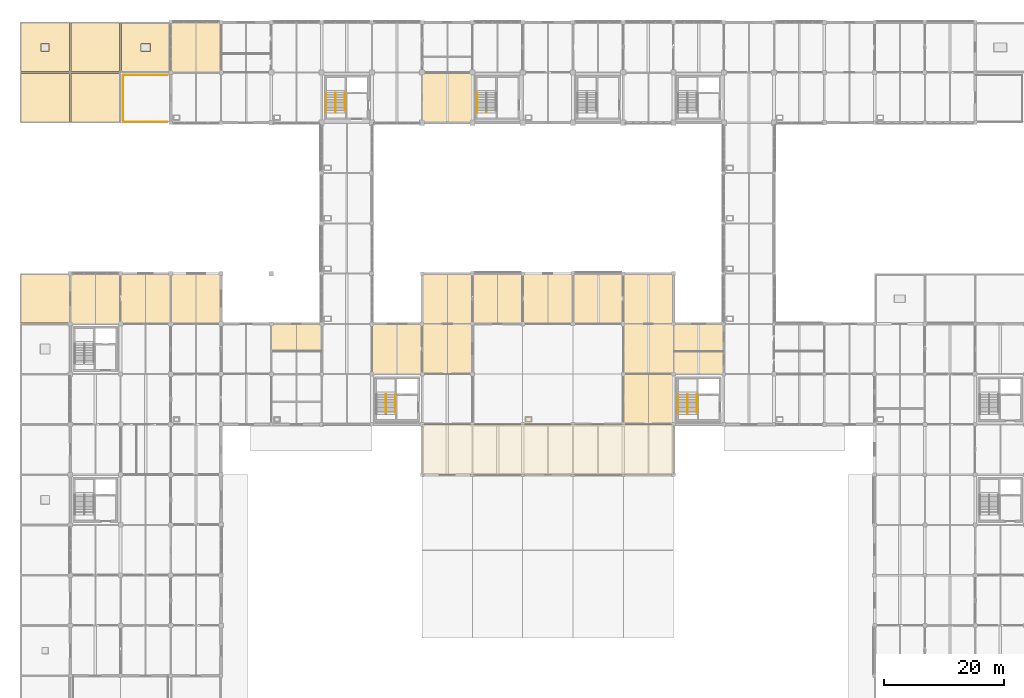
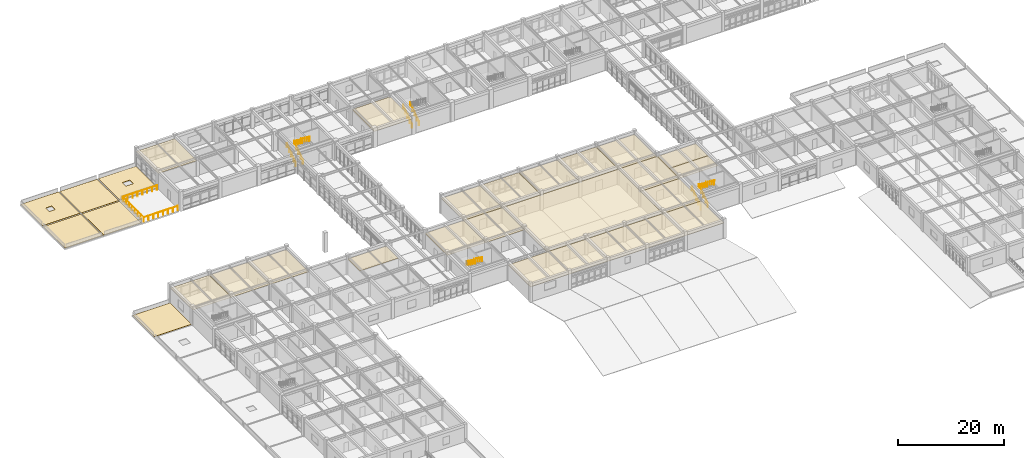
# One storey, part 76 of 78: 25 coverings, 15 railings.
"""IFC4 building model written with IfcOpenShell, lengths in metres."""

import ifcopenshell
import ifcopenshell.guid

model = None  # the IFC model being written
_history = None  # IfcOwnerHistory: only IFC2X3 demands one
_inside = {}  # id of a spatial element -> (the spatial element, [elements in it])
_under = {}  # id of a project, library or spatial element -> (it, [spatial elements below it])
_declared = {}  # id of a project -> (the project, [libraries it declares])
_typed = {}  # id of a type object -> (the type object, [elements of that type])
_made_of = {}  # id of a material, layer set ... -> (it, [elements and type objects made of it])


def new_model(schema):
    """Start an empty IFC model of exactly this schema.

    Asked for "IFC4X3", IfcOpenShell would pick the latest addendum, in which some entities
    have other attributes; the version numbers below select the first issue.
    IFC2X3 requires an IfcOwnerHistory on every rooted entity: one is made here for all.
    """
    global model, _history
    if schema == "IFC4X3":
        model = ifcopenshell.file(schema_version=(4, 3, 0, 0))
    else:
        model = ifcopenshell.file(schema=schema)
    _inside.clear()
    _under.clear()
    _declared.clear()
    _typed.clear()
    _made_of.clear()
    _history = None
    if model.schema == "IFC2X3":
        org = make("IfcOrganization", Name="unknown")
        user = make(
            "IfcPersonAndOrganization",
            ThePerson=make("IfcPerson", FamilyName="unknown"),
            TheOrganization=org,
        )
        app = make(
            "IfcApplication",
            ApplicationDeveloper=org,
            Version="unknown",
            ApplicationFullName="unknown",
            ApplicationIdentifier="unknown",
        )
        _history = make(
            "IfcOwnerHistory",
            OwningUser=user,
            OwningApplication=app,
            ChangeAction="ADDED",
            CreationDate=0,
        )
    return model


def make(cls, **values):
    """One entity of the class cls with the attributes given. An attribute that is None is left unset."""
    return model.create_entity(
        cls, **{name: value for name, value in values.items() if value is not None}
    )


def rooted(cls, **values):
    """An entity with a GlobalId (a new one), such as an element, a storey or a relation."""
    return make(cls, GlobalId=ifcopenshell.guid.new(), OwnerHistory=_history, **values)


def si_unit(unit_type, name, prefix=None):
    """IfcSIUnit, for example si_unit("LENGTHUNIT", "METRE", prefix="MILLI")."""
    return make("IfcSIUnit", UnitType=unit_type, Prefix=prefix, Name=name)


def assignment(units):
    """IfcUnitAssignment: the units of a project."""
    return None if units is None else make("IfcUnitAssignment", Units=units)


def point(xyz):
    """IfcCartesianPoint."""
    return None if xyz is None else make("IfcCartesianPoint", Coordinates=xyz)


def direction(xyz):
    """IfcDirection."""
    return None if xyz is None else make("IfcDirection", DirectionRatios=xyz)


def frame(location, z_axis=None, x_axis=None):
    """IfcAxis2Placement3D, a coordinate frame: its origin and axes. An axis left out is left unset."""
    return make(
        "IfcAxis2Placement3D",
        Location=point(location),
        Axis=direction(z_axis),
        RefDirection=direction(x_axis),
    )


def frame_2d(location, x_axis=None):
    """IfcAxis2Placement2D, a coordinate frame in the plane: its origin and x axis."""
    return make(
        "IfcAxis2Placement2D", Location=point(location), RefDirection=direction(x_axis)
    )


def origin():
    """The frame at (0, 0, 0) with its axes left unset."""
    return frame((0.0, 0.0, 0.0))


def origin_2d():
    """The frame at (0, 0) in the plane with its x axis left unset."""
    return frame_2d((0.0, 0.0))


def place(relative_to, where):
    """IfcLocalPlacement: puts the frame where relative to a parent placement (None: the world)."""
    return make(
        "IfcLocalPlacement", PlacementRelTo=relative_to, RelativePlacement=where
    )


def context(
    kind, dimensions, precision=None, world=None, true_north=None, identifier=None
):
    """IfcGeometricRepresentationContext, for example the 3D "Model" context."""
    return make(
        "IfcGeometricRepresentationContext",
        ContextIdentifier=identifier,
        ContextType=kind,
        CoordinateSpaceDimension=dimensions,
        Precision=precision,
        WorldCoordinateSystem=world,
        TrueNorth=true_north,
    )


def subcontext(parent, identifier, kind, view, scale=None):
    """IfcGeometricRepresentationSubContext, for example "Body" below "Model"."""
    return make(
        "IfcGeometricRepresentationSubContext",
        ContextIdentifier=identifier,
        ContextType=kind,
        ParentContext=parent,
        TargetScale=scale,
        TargetView=view,
    )


def project(units=None, contexts=None):
    """IfcProject with its units and contexts."""
    return rooted(
        "IfcProject",
        Name="project",
        RepresentationContexts=contexts,
        UnitsInContext=assignment(units),
    )


def spatial(cls, under=None, at=None, **own):
    """A site, building, storey or space (cls), placed at a placement, below another one or the project."""
    s = rooted(cls, ObjectPlacement=at, **own)
    if under is not None:
        _under.setdefault(under.id(), (under, []))[1].append(s)
    return s


def polyline(points):
    """IfcPolyline through the points."""
    return make("IfcPolyline", Points=[point(p) for p in points])


def profile(cls, at=None, kind="AREA", **sizes):
    """A parametric profile (cls). Its sizes go by their IFC names, for example OverallWidth=200.0."""
    return make(cls, ProfileType=kind, Position=at, **sizes)


def circle(**sizes):
    """IfcCircleProfileDef."""
    return profile("IfcCircleProfileDef", **sizes)


def outline(outer, holes=None, kind="AREA"):
    """IfcArbitraryClosedProfileDef: a profile drawn as a closed curve; with holes, ...WithVoids."""
    if holes is None:
        return make("IfcArbitraryClosedProfileDef", ProfileType=kind, OuterCurve=outer)
    return make(
        "IfcArbitraryProfileDefWithVoids",
        ProfileType=kind,
        OuterCurve=outer,
        InnerCurves=holes,
    )


def extrude(swept, where, along, depth):
    """IfcExtrudedAreaSolid: the profile swept, set in the frame where, extruded along a direction by depth."""
    return make(
        "IfcExtrudedAreaSolid",
        SweptArea=swept,
        Position=where,
        ExtrudedDirection=direction(along),
        Depth=depth,
    )


def shape(context_of_items, identifier, shape_type, items):
    """IfcShapeRepresentation: the items that make up one representation, for example the "Body"."""
    return make(
        "IfcShapeRepresentation",
        ContextOfItems=context_of_items,
        RepresentationIdentifier=identifier,
        RepresentationType=shape_type,
        Items=items,
    )


def material(Name=None, Category=None):
    """IfcMaterial."""
    return make("IfcMaterial", Name=Name, Category=Category)


def layer(
    of_material, thickness, ventilated=None, Name=None, Category=None, Priority=None
):
    """IfcMaterialLayer: one layer of a wall or slab, of a material (None: an air gap)."""
    return make(
        "IfcMaterialLayer",
        Material=of_material,
        LayerThickness=thickness,
        IsVentilated=ventilated,
        Name=Name,
        Category=Category,
        Priority=Priority,
    )


def layer_set(layers, Name=None):
    """IfcMaterialLayerSet."""
    return make("IfcMaterialLayerSet", MaterialLayers=layers, LayerSetName=Name)


def made_of(thing, what):
    """Note that an element or type object is made of a material, layer set ...; save() writes the relation."""
    if what is not None:
        _made_of.setdefault(what.id(), (what, []))[1].append(thing)
    return thing


def type_object(cls, material=None, **own):
    """A type object (cls), such as IfcWallType, which elements share."""
    return made_of(rooted(cls, **own), material)


def element(
    cls,
    number,
    at=None,
    inside=None,
    cuts=None,
    type_object=None,
    material=None,
    context=None,
    identifier="Body",
    shape_type=None,
    held_by="IfcProductDefinitionShape",
    body=None,
    shapes=None,
    **own,
):
    """One element of the class cls, such as IfcWall. Its Tag is "e" and its number.

    at: its placement. inside: the storey or other place that contains it. cuts: it is an
    opening in that element (IfcRelVoidsElement). A single representation is given by context,
    identifier, shape_type and body (its items); several are given by shapes. held_by: the class
    of the entity that holds the representations. save() writes the other relations.
    """
    e = rooted(cls, Tag="e%d" % number, ObjectPlacement=at, **own)
    if body is not None:
        shapes = [shape(context, identifier, shape_type, body)]
    if shapes is not None:
        e.Representation = make(held_by, Representations=shapes)
    if inside is not None:
        _inside.setdefault(inside.id(), (inside, []))[1].append(e)
    if cuts is not None:
        rooted(
            "IfcRelVoidsElement", RelatingBuildingElement=cuts, RelatedOpeningElement=e
        )
    if type_object is not None:
        _typed.setdefault(type_object.id(), (type_object, []))[1].append(e)
    return made_of(e, material)


def aggregate(whole, parts):
    """IfcRelAggregates: a whole, such as a stair, and the parts it consists of."""
    return rooted("IfcRelAggregates", RelatingObject=whole, RelatedObjects=parts)


def save(model, path):
    """Write the relations noted so far, then the file.

    IfcRelAggregates (storeys below a building ...), IfcRelContainedInSpatialStructure (elements
    in a storey), IfcRelDefinesByType, IfcRelAssociatesMaterial and IfcRelDeclares: one each for
    every whole, place, type object, material and project.
    """
    for whole, parts in _under.values():
        aggregate(whole, parts)
    for where, things in _inside.values():
        rooted(
            "IfcRelContainedInSpatialStructure",
            RelatedElements=things,
            RelatingStructure=where,
        )
    for kind, things in _typed.values():
        rooted("IfcRelDefinesByType", RelatedObjects=things, RelatingType=kind)
    for what, things in _made_of.values():
        rooted("IfcRelAssociatesMaterial", RelatedObjects=things, RelatingMaterial=what)
    for by, libraries in _declared.values():
        rooted("IfcRelDeclares", RelatingContext=by, RelatedDefinitions=libraries)
    model.write(path)


model = new_model("IFC4")

# Units and contexts
model_context = context("Model", 3, precision=1e-05, world=origin(), true_north=direction((0.0, 1.0)))
body_context = subcontext(model_context, "Body", "Model", "MODEL_VIEW")
ifc_project = project(units=[si_unit("LENGTHUNIT", "METRE"), si_unit("AREAUNIT", "SQUARE_METRE"), si_unit("VOLUMEUNIT", "CUBIC_METRE"), si_unit("PLANEANGLEUNIT", "RADIAN"), si_unit("MASSUNIT", "GRAM", prefix="KILO")], contexts=[model_context])

# Site, building, storey
site_placement = place(None, origin())
site = spatial("IfcSite", under=ifc_project, at=site_placement, CompositionType="ELEMENT")
building_placement = place(site_placement, origin())
building = spatial("IfcBuilding", under=site, at=building_placement, Name="Porcellanite Civic Hall", CompositionType="ELEMENT")
storey_placement = place(building_placement, frame((0.0, 0.0, 10.260009765625)))
storey = spatial("IfcBuildingStorey", under=building, at=storey_placement, Name="L02", CompositionType="ELEMENT", Elevation=10.260009765625)

# Coverings
ifc_material_1 = material(Name="Perforated acoustic mineral-fibre and spotted-gum batten ceiling")
ifc_layer_1 = layer(ifc_material_1, 0.02490234375)
ifc_layer_set_1 = layer_set([ifc_layer_1], Name="Perforated acoustic mineral-fibre and spotted-gum batten ceiling")
covering_type_1 = type_object("IfcCoveringType", Name="COV-CL1", PredefinedType="CEILING", material=ifc_layer_set_1)
covering_1_placement = place(storey_placement, frame((0.0, 0.0, 3.344970703125)))
element("IfcCovering", 1, at=covering_1_placement, inside=storey, type_object=covering_type_1, Name="Acoustic ceiling Council Chamber", PredefinedType="CEILING", context=body_context, shape_type="SweptSolid", body=[
    extrude(outline(polyline([(75.610107421875, 50.409912109375), (100.7900390625, 50.409912109375), (100.7900390625, 67.18994140625), (75.610107421875, 67.18994140625), (75.610107421875, 50.409912109375)])), origin(), (0.0, 0.0, 1.0), 0.02490234375),
])
ifc_material_2 = material(Name="Perforated acoustic mineral-fibre and spotted-gum batten ceiling")
ifc_layer_2 = layer(ifc_material_2, 0.034912109375)
ifc_layer_set_2 = layer_set([ifc_layer_2], Name="Perforated acoustic mineral-fibre and spotted-gum batten ceiling")
covering_type_2 = type_object("IfcCoveringType", Name="COV-CL2", PredefinedType="CEILING", material=ifc_layer_set_2)
covering_2_placement = place(storey_placement, frame((0.0, 0.0, 3.3349609375)))
element("IfcCovering", 2, at=covering_2_placement, inside=storey, type_object=covering_type_2, Name="Acoustic ceiling Electoral Commission Office L02-B", PredefinedType="CEILING", context=body_context, shape_type="SweptSolid", body=[
    extrude(outline(polyline([(42.010009765625, 62.610107421875), (50.389892578125, 62.610107421875), (50.389892578125, 67.18994140625), (42.010009765625, 67.18994140625), (42.010009765625, 62.610107421875)])), origin(), (0.0, 0.0, 1.0), 0.034912109375),
])
covering_3_placement = place(storey_placement, frame((0.0, 0.0, 3.3349609375)))
element("IfcCovering", 3, at=covering_3_placement, inside=storey, type_object=covering_type_2, Name="Acoustic ceiling Speaker Chambers L02-A", PredefinedType="CEILING", context=body_context, shape_type="SweptSolid", body=[
    extrude(outline(polyline([(109.2099609375, 58.81005859375), (117.590087890625, 58.81005859375), (117.590087890625, 62.590087890625), (109.2099609375, 62.590087890625), (109.2099609375, 58.81005859375)])), origin(), (0.0, 0.0, 1.0), 0.034912109375),
])
covering_4_placement = place(storey_placement, frame((0.0, 0.0, 3.3349609375)))
element("IfcCovering", 4, at=covering_4_placement, inside=storey, type_object=covering_type_2, Name="Acoustic ceiling Hansard Transcription Suite L02-B", PredefinedType="CEILING", context=body_context, shape_type="SweptSolid", body=[
    extrude(outline(polyline([(109.2099609375, 62.610107421875), (117.590087890625, 62.610107421875), (117.590087890625, 67.18994140625), (109.2099609375, 67.18994140625), (109.2099609375, 62.610107421875)])), origin(), (0.0, 0.0, 1.0), 0.034912109375),
])
covering_5_placement = place(storey_placement, frame((0.0, 0.0, 3.3349609375)))
element("IfcCovering", 5, at=covering_5_placement, inside=storey, type_object=covering_type_2, Name="Acoustic ceiling Standing Committee Suite L02-06", PredefinedType="CEILING", context=body_context, shape_type="SweptSolid", body=[
    extrude(outline(polyline([(8.409912109375, 67.2099609375), (16.7900390625, 67.2099609375), (16.7900390625, 75.590087890625), (8.409912109375, 75.590087890625), (8.409912109375, 67.2099609375)])), origin(), (0.0, 0.0, 1.0), 0.034912109375),
])
covering_6_placement = place(storey_placement, frame((0.0, 0.0, 3.3349609375)))
element("IfcCovering", 6, at=covering_6_placement, inside=storey, type_object=covering_type_2, Name="Acoustic ceiling Hansard Witness Room L02-13", PredefinedType="CEILING", context=body_context, shape_type="SweptSolid", body=[
    extrude(outline(polyline([(16.81005859375, 67.2099609375), (25.18994140625, 67.2099609375), (25.18994140625, 75.590087890625), (16.81005859375, 75.590087890625), (16.81005859375, 67.2099609375)])), origin(), (0.0, 0.0, 1.0), 0.034912109375),
])
covering_7_placement = place(storey_placement, frame((0.0, 0.0, 3.3349609375)))
element("IfcCovering", 7, at=covering_7_placement, inside=storey, type_object=covering_type_2, Name="Acoustic ceiling Committee Room L02-21", PredefinedType="CEILING", context=body_context, shape_type="SweptSolid", body=[
    extrude(outline(polyline([(25.2099609375, 67.2099609375), (33.590087890625, 67.2099609375), (33.590087890625, 75.590087890625), (25.2099609375, 75.590087890625), (25.2099609375, 67.2099609375)])), origin(), (0.0, 0.0, 1.0), 0.034912109375),
])
covering_8_placement = place(storey_placement, frame((0.0, 0.0, 3.3349609375)))
element("IfcCovering", 8, at=covering_8_placement, inside=storey, type_object=covering_type_2, Name="Acoustic ceiling Stormwater and Coastal Office L02-23", PredefinedType="CEILING", context=body_context, shape_type="SweptSolid", body=[
    extrude(outline(polyline([(25.2099609375, 109.2099609375), (33.590087890625, 109.2099609375), (33.590087890625, 117.590087890625), (25.2099609375, 117.590087890625), (25.2099609375, 109.2099609375)])), origin(), (0.0, 0.0, 1.0), 0.034912109375),
])
covering_9_placement = place(storey_placement, frame((0.0, 0.0, 3.3349609375)))
element("IfcCovering", 9, at=covering_9_placement, inside=storey, type_object=covering_type_2, Name="Acoustic ceiling Chamber Clerk Office L02-36", PredefinedType="CEILING", context=body_context, shape_type="SweptSolid", body=[
    extrude(outline(polyline([(58.81005859375, 58.81005859375), (67.18994140625, 58.81005859375), (67.18994140625, 67.18994140625), (58.81005859375, 67.18994140625), (58.81005859375, 58.81005859375)])), origin(), (0.0, 0.0, 1.0), 0.034912109375),
])
covering_10_placement = place(storey_placement, frame((0.0, 0.0, 3.3349609375)))
element("IfcCovering", 10, at=covering_10_placement, inside=storey, type_object=covering_type_2, Name="Acoustic ceiling Speaker Chambers L02-40", PredefinedType="CEILING", context=body_context, shape_type="SweptSolid", body=[
    extrude(outline(polyline([(67.2099609375, 58.81005859375), (75.590087890625, 58.81005859375), (75.590087890625, 67.18994140625), (67.2099609375, 67.18994140625), (67.2099609375, 58.81005859375)])), origin(), (0.0, 0.0, 1.0), 0.034912109375),
])
covering_11_placement = place(storey_placement, frame((0.0, 0.0, 3.3349609375)))
element("IfcCovering", 11, at=covering_11_placement, inside=storey, type_object=covering_type_2, Name="Acoustic ceiling Hansard Transcription Suite L02-41", PredefinedType="CEILING", context=body_context, shape_type="SweptSolid", body=[
    extrude(outline(polyline([(67.2099609375, 67.2099609375), (75.590087890625, 67.2099609375), (75.590087890625, 75.590087890625), (67.2099609375, 75.590087890625), (67.2099609375, 67.2099609375)])), origin(), (0.0, 0.0, 1.0), 0.034912109375),
])
covering_12_placement = place(storey_placement, frame((0.0, 0.0, 3.3349609375)))
element("IfcCovering", 12, at=covering_12_placement, inside=storey, type_object=covering_type_2, Name="Acoustic ceiling Transport Planning Office L02-42", PredefinedType="CEILING", context=body_context, shape_type="SweptSolid", body=[
    extrude(outline(polyline([(67.2099609375, 100.81005859375), (75.590087890625, 100.81005859375), (75.590087890625, 109.18994140625), (67.2099609375, 109.18994140625), (67.2099609375, 100.81005859375)])), origin(), (0.0, 0.0, 1.0), 0.034912109375),
])
covering_13_placement = place(storey_placement, frame((0.0, 0.0, 3.3349609375)))
element("IfcCovering", 13, at=covering_13_placement, inside=storey, type_object=covering_type_2, Name="Acoustic ceiling Hansard Transcription Suite L02-43", PredefinedType="CEILING", context=body_context, shape_type="SweptSolid", body=[
    extrude(outline(polyline([(75.610107421875, 67.2099609375), (83.989990234375, 67.2099609375), (83.989990234375, 75.590087890625), (75.610107421875, 75.590087890625), (75.610107421875, 67.2099609375)])), origin(), (0.0, 0.0, 1.0), 0.034912109375),
])
covering_14_placement = place(storey_placement, frame((0.0, 0.0, 3.3349609375)))
element("IfcCovering", 14, at=covering_14_placement, inside=storey, type_object=covering_type_2, Name="Acoustic ceiling Hansard Transcription Suite L02-45", PredefinedType="CEILING", context=body_context, shape_type="SweptSolid", body=[
    extrude(outline(polyline([(84.010009765625, 67.2099609375), (92.389892578125, 67.2099609375), (92.389892578125, 75.590087890625), (84.010009765625, 75.590087890625), (84.010009765625, 67.2099609375)])), origin(), (0.0, 0.0, 1.0), 0.034912109375),
])
covering_15_placement = place(storey_placement, frame((0.0, 0.0, 3.3349609375)))
element("IfcCovering", 15, at=covering_15_placement, inside=storey, type_object=covering_type_2, Name="Acoustic ceiling Speaker Chambers L02-48", PredefinedType="CEILING", context=body_context, shape_type="SweptSolid", body=[
    extrude(outline(polyline([(92.409912109375, 67.2099609375), (100.7900390625, 67.2099609375), (100.7900390625, 75.590087890625), (92.409912109375, 75.590087890625), (92.409912109375, 67.2099609375)])), origin(), (0.0, 0.0, 1.0), 0.034912109375),
])
covering_16_placement = place(storey_placement, frame((0.0, 0.0, 3.3349609375)))
element("IfcCovering", 16, at=covering_16_placement, inside=storey, type_object=covering_type_2, Name="Acoustic ceiling Chamber Clerk Office L02-50", PredefinedType="CEILING", context=body_context, shape_type="SweptSolid", body=[
    extrude(outline(polyline([(100.81005859375, 50.409912109375), (109.18994140625, 50.409912109375), (109.18994140625, 58.7900390625), (100.81005859375, 58.7900390625), (100.81005859375, 50.409912109375)])), origin(), (0.0, 0.0, 1.0), 0.034912109375),
])
covering_17_placement = place(storey_placement, frame((0.0, 0.0, 3.3349609375)))
element("IfcCovering", 17, at=covering_17_placement, inside=storey, type_object=covering_type_2, Name="Acoustic ceiling Speaker Chambers L02-51", PredefinedType="CEILING", context=body_context, shape_type="SweptSolid", body=[
    extrude(outline(polyline([(100.81005859375, 58.81005859375), (109.18994140625, 58.81005859375), (109.18994140625, 67.18994140625), (100.81005859375, 67.18994140625), (100.81005859375, 58.81005859375)])), origin(), (0.0, 0.0, 1.0), 0.034912109375),
])
covering_18_placement = place(storey_placement, frame((0.0, 0.0, 3.3349609375)))
element("IfcCovering", 18, at=covering_18_placement, inside=storey, type_object=covering_type_2, Name="Acoustic ceiling Hansard Transcription Suite L02-52", PredefinedType="CEILING", context=body_context, shape_type="SweptSolid", body=[
    extrude(outline(polyline([(100.81005859375, 67.2099609375), (109.18994140625, 67.2099609375), (109.18994140625, 75.590087890625), (100.81005859375, 75.590087890625), (100.81005859375, 67.2099609375)])), origin(), (0.0, 0.0, 1.0), 0.034912109375),
])
ifc_material_3 = material(Name="Perforated acoustic mineral-fibre and spotted-gum batten ceiling")
ifc_layer_3 = layer(ifc_material_3, 0.044921875)
ifc_layer_set_3 = layer_set([ifc_layer_3], Name="Perforated acoustic mineral-fibre and spotted-gum batten ceiling")
covering_type_3 = type_object("IfcCoveringType", Name="COV-CL3", PredefinedType="CEILING", material=ifc_layer_set_3)
covering_19_placement = place(storey_placement, frame((0.0, 0.0, 3.324951171875)))
element("IfcCovering", 19, at=covering_19_placement, inside=storey, type_object=covering_type_3, Name="Acoustic ceiling Council Chamber Ante-Room", PredefinedType="CEILING", context=body_context, shape_type="SweptSolid", body=[
    extrude(outline(polyline([(67.2099609375, 42.010009765625), (109.18994140625, 42.010009765625), (109.18994140625, 50.389892578125), (67.2099609375, 50.389892578125), (67.2099609375, 42.010009765625)])), origin(), (0.0, 0.0, 1.0), 0.044921875),
])
ifc_material_4 = material(Name="Insulated light-reflective TPO monsoon roofing membrane")
ifc_layer_4 = layer(ifc_material_4, 0.080078125)
ifc_layer_set_4 = layer_set([ifc_layer_4], Name="Insulated light-reflective TPO monsoon roofing membrane")
covering_type_4 = type_object("IfcCoveringType", Name="COV-RF1", PredefinedType="ROOFING", material=ifc_layer_set_4)
covering_20_placement = place(storey_placement, origin())
element("IfcCovering", 20, at=covering_20_placement, inside=storey, type_object=covering_type_4, Name="Roof membrane L02 1-14", PredefinedType="ROOFING", context=body_context, shape_type="SweptSolid", body=[
    extrude(outline(polyline([(0.14990234375, 109.35009765625), (8.25, 109.35009765625), (8.25, 117.449951171875), (0.14990234375, 117.449951171875), (0.14990234375, 109.35009765625)]), holes=[polyline([(3.550048828125, 112.75), (4.85009765625, 112.75), (4.85009765625, 114.050048828125), (3.550048828125, 114.050048828125), (3.550048828125, 112.75)])]), origin(), (0.0, 0.0, 1.0), 0.080078125),
])
covering_21_placement = place(storey_placement, origin())
element("IfcCovering", 21, at=covering_21_placement, inside=storey, type_object=covering_type_4, Name="Roof membrane L02 3-14", PredefinedType="ROOFING", context=body_context, shape_type="SweptSolid", body=[
    extrude(outline(polyline([(16.949951171875, 109.35009765625), (25.050048828125, 109.35009765625), (25.050048828125, 117.449951171875), (16.949951171875, 117.449951171875), (16.949951171875, 109.35009765625)]), holes=[polyline([(20.199951171875, 112.75), (21.800048828125, 112.75), (21.800048828125, 114.050048828125), (20.199951171875, 114.050048828125), (20.199951171875, 112.75)])]), origin(), (0.0, 0.0, 1.0), 0.080078125),
])
ifc_material_5 = material(Name="Insulated light-reflective TPO monsoon roofing membrane")
ifc_layer_5 = layer(ifc_material_5, 0.070068359375)
ifc_layer_set_5 = layer_set([ifc_layer_5], Name="Insulated light-reflective TPO monsoon roofing membrane")
covering_type_5 = type_object("IfcCoveringType", Name="COV-RF2", PredefinedType="ROOFING", material=ifc_layer_set_5)
covering_22_placement = place(storey_placement, origin())
element("IfcCovering", 22, at=covering_22_placement, inside=storey, type_object=covering_type_5, Name="Roof membrane L02 1-9", PredefinedType="ROOFING", context=body_context, shape_type="SweptSolid", body=[
    extrude(outline(polyline([(0.14990234375, 67.35009765625), (8.25, 67.35009765625), (8.25, 75.449951171875), (0.14990234375, 75.449951171875), (0.14990234375, 67.35009765625)])), origin(), (0.0, 0.0, 1.0), 0.070068359375),
])
covering_23_placement = place(storey_placement, origin())
element("IfcCovering", 23, at=covering_23_placement, inside=storey, type_object=covering_type_5, Name="Roof membrane L02 2-13", PredefinedType="ROOFING", context=body_context, shape_type="SweptSolid", body=[
    extrude(outline(polyline([(8.550048828125, 100.949951171875), (16.64990234375, 100.949951171875), (16.64990234375, 109.050048828125), (8.550048828125, 109.050048828125), (8.550048828125, 100.949951171875)])), origin(), (0.0, 0.0, 1.0), 0.070068359375),
])
ifc_material_6 = material(Name="Insulated light-reflective TPO monsoon roofing membrane")
ifc_layer_6 = layer(ifc_material_6, 0.06005859375)
ifc_layer_set_6 = layer_set([ifc_layer_6], Name="Insulated light-reflective TPO monsoon roofing membrane")
covering_type_6 = type_object("IfcCoveringType", Name="COV-RF3", PredefinedType="ROOFING", material=ifc_layer_set_6)
covering_24_placement = place(storey_placement, origin())
element("IfcCovering", 24, at=covering_24_placement, inside=storey, type_object=covering_type_6, Name="Roof membrane L02 1-13", PredefinedType="ROOFING", context=body_context, shape_type="SweptSolid", body=[
    extrude(outline(polyline([(0.14990234375, 100.949951171875), (8.25, 100.949951171875), (8.25, 109.050048828125), (0.14990234375, 109.050048828125), (0.14990234375, 100.949951171875)])), origin(), (0.0, 0.0, 1.0), 0.06005859375),
])
covering_25_placement = place(storey_placement, origin())
element("IfcCovering", 25, at=covering_25_placement, inside=storey, type_object=covering_type_6, Name="Roof membrane L02 2-14", PredefinedType="ROOFING", context=body_context, shape_type="SweptSolid", body=[
    extrude(outline(polyline([(8.550048828125, 109.35009765625), (16.64990234375, 109.35009765625), (16.64990234375, 117.449951171875), (8.550048828125, 117.449951171875), (8.550048828125, 109.35009765625)])), origin(), (0.0, 0.0, 1.0), 0.06005859375),
])

# Railings
ifc_material_7 = material(Name="Stainless steel 316", Category="steel")
railing_type_1 = type_object("IfcRailingType", Name="RL-BAL112", PredefinedType="BALUSTRADE", material=ifc_material_7)
for number, where, name in (
    (26, (17.25, 100.9599609375, 0.0), "Terrace balustrade L02 S 3-13"),
    (27, (17.25, 108.75, 0.0), "Terrace balustrade L02 N 3-13"),
):
    element("IfcRailing", number, at=place(storey_placement, frame(where)), inside=storey, type_object=railing_type_1, Name=name, PredefinedType="BALUSTRADE", context=body_context, shape_type="SweptSolid", body=[
        extrude(circle(Radius=0.02490234375, at=origin_2d()), frame((0.0, 0.0, 1.09521484375), z_axis=(1.0, 0.0, 0.0), x_axis=(0.0, 1.0, 0.0)), (0.0, 0.0, 1.0), 7.39990234375),
        extrude(circle(Radius=0.02197265625, at=origin_2d()), origin(), (0.0, 0.0, 1.0), 1.070068359375),
        extrude(circle(Radius=0.02197265625, at=origin_2d()), frame((1.05712890625, 0.0, 0.0)), (0.0, 0.0, 1.0), 1.070068359375),
        extrude(circle(Radius=0.02197265625, at=origin_2d()), frame((2.1142578125, 0.0, 0.0)), (0.0, 0.0, 1.0), 1.070068359375),
        extrude(circle(Radius=0.02197265625, at=origin_2d()), frame((3.17138671875, 0.0, 0.0)), (0.0, 0.0, 1.0), 1.070068359375),
        extrude(circle(Radius=0.02197265625, at=origin_2d()), frame((4.228515625, 0.0, 0.0)), (0.0, 0.0, 1.0), 1.070068359375),
        extrude(circle(Radius=0.02197265625, at=origin_2d()), frame((5.28564453125, 0.0, 0.0)), (0.0, 0.0, 1.0), 1.070068359375),
        extrude(circle(Radius=0.02197265625, at=origin_2d()), frame((6.3427734375, 0.0, 0.0)), (0.0, 0.0, 1.0), 1.070068359375),
        extrude(circle(Radius=0.02197265625, at=origin_2d()), frame((7.39990234375, 0.0, 0.0)), (0.0, 0.0, 1.0), 1.070068359375),
    ])
railing_1_placement = place(storey_placement, frame((17.25, 100.9599609375, 0.0)))
element("IfcRailing", 28, at=railing_1_placement, inside=storey, type_object=railing_type_1, Name="Terrace balustrade L02 W 3-13", PredefinedType="BALUSTRADE", context=body_context, shape_type="SweptSolid", body=[
    extrude(circle(Radius=0.02490234375, at=origin_2d()), frame((0.0, 0.0, 1.09521484375), z_axis=(0.0, 1.0, 0.0), x_axis=(-1.0, 0.0, 0.0)), (0.0, 0.0, 1.0), 7.7900390625),
    extrude(circle(Radius=0.02197265625, at=origin_2d()), origin(), (0.0, 0.0, 1.0), 1.070068359375),
    extrude(circle(Radius=0.02197265625, at=origin_2d()), frame((0.0, 1.11279296875, 0.0)), (0.0, 0.0, 1.0), 1.070068359375),
    extrude(circle(Radius=0.02197265625, at=origin_2d()), frame((0.0, 2.225830078125, 0.0)), (0.0, 0.0, 1.0), 1.070068359375),
    extrude(circle(Radius=0.02197265625, at=origin_2d()), frame((0.0, 3.338623046875, 0.0)), (0.0, 0.0, 1.0), 1.070068359375),
    extrude(circle(Radius=0.02197265625, at=origin_2d()), frame((0.0, 4.451416015625, 0.0)), (0.0, 0.0, 1.0), 1.070068359375),
    extrude(circle(Radius=0.02197265625, at=origin_2d()), frame((0.0, 5.564208984375, 0.0)), (0.0, 0.0, 1.0), 1.070068359375),
    extrude(circle(Radius=0.02197265625, at=origin_2d()), frame((0.0, 6.67724609375, 0.0)), (0.0, 0.0, 1.0), 1.070068359375),
    extrude(circle(Radius=0.02197265625, at=origin_2d()), frame((0.0, 7.7900390625, 0.0)), (0.0, 0.0, 1.0), 1.070068359375),
])
ifc_material_8 = material(Name="Brushed stainless steel 316", Category="steel")
railing_type_2 = type_object("IfcRailingType", Name="RL-HR920", PredefinedType="HANDRAIL", material=ifc_material_8)
railing_2_placement = place(storey_placement, frame((51.18505859375, 102.52490234375, 0.0)))
element("IfcRailing", 29, at=railing_2_placement, inside=storey, type_object=railing_type_2, Name="Stair handrail ST-03 L02 1", PredefinedType="HANDRAIL", context=body_context, shape_type="SweptSolid", body=[
    extrude(circle(Radius=0.02197265625, at=origin_2d()), frame((0.0, 0.0, 0.89794921875), z_axis=(0.0, 0.815726678323, 0.578437538782), x_axis=(-1.0, 0.0, 0.0)), (0.0, 0.0, 1.0), 4.045654296875),
    extrude(circle(Radius=0.01904296875, at=origin_2d()), origin(), (0.0, 0.0, 1.0), 0.8759765625),
    extrude(circle(Radius=0.01904296875, at=origin_2d()), frame((0.0, 0.824951171875, 0.5849609375)), (0.0, 0.0, 1.0), 0.8759765625),
    extrude(circle(Radius=0.01904296875, at=origin_2d()), frame((0.0, 1.64990234375, 1.169921875)), (0.0, 0.0, 1.0), 0.8759765625),
    extrude(circle(Radius=0.01904296875, at=origin_2d()), frame((0.0, 2.47509765625, 1.755126953125)), (0.0, 0.0, 1.0), 0.8759765625),
    extrude(circle(Radius=0.01904296875, at=origin_2d()), frame((0.0, 3.300048828125, 2.340087890625)), (0.0, 0.0, 1.0), 0.8759765625),
])
railing_3_placement = place(storey_placement, frame((52.764892578125, 105.824951171875, 2.340087890625)))
element("IfcRailing", 30, at=railing_3_placement, inside=storey, type_object=railing_type_2, Name="Stair handrail ST-03 L02 3", PredefinedType="HANDRAIL", context=body_context, shape_type="SweptSolid", body=[
    extrude(circle(Radius=0.02197265625, at=origin_2d()), frame((0.0, 0.0, 0.89794921875), z_axis=(0.0, -0.813826661234, 0.581107705564), x_axis=(1.0, 0.0, 0.0)), (0.0, 0.0, 1.0), 3.716796875),
    extrude(circle(Radius=0.01904296875, at=origin_2d()), origin(), (0.0, 0.0, 1.0), 0.8759765625),
    extrude(circle(Radius=0.01904296875, at=origin_2d()), frame((0.0, -0.75634765625, 0.5400390625)), (0.0, 0.0, 1.0), 0.8759765625),
    extrude(circle(Radius=0.01904296875, at=origin_2d()), frame((0.0, -1.512451171875, 1.080078125)), (0.0, 0.0, 1.0), 0.8759765625),
    extrude(circle(Radius=0.01904296875, at=origin_2d()), frame((0.0, -2.2685546875, 1.619873046875)), (0.0, 0.0, 1.0), 0.8759765625),
    extrude(circle(Radius=0.01904296875, at=origin_2d()), frame((0.0, -3.02490234375, 2.159912109375)), (0.0, 0.0, 1.0), 0.8759765625),
])
railing_4_placement = place(storey_placement, frame((61.1650390625, 55.425048828125, 2.340087890625)))
element("IfcRailing", 31, at=railing_4_placement, inside=storey, type_object=railing_type_2, Name="Stair handrail ST-05 L02 3", PredefinedType="HANDRAIL", context=body_context, shape_type="SweptSolid", body=[
    extrude(circle(Radius=0.02197265625, at=origin_2d()), frame((0.0, 0.0, 0.89794921875), z_axis=(0.0, -0.813848840085, 0.581076643389), x_axis=(1.0, 0.0, 0.0)), (0.0, 0.0, 1.0), 3.717041015625),
    extrude(circle(Radius=0.01904296875, at=origin_2d()), origin(), (0.0, 0.0, 1.0), 0.8759765625),
    extrude(circle(Radius=0.01904296875, at=origin_2d()), frame((0.0, -0.75634765625, 0.5400390625)), (0.0, 0.0, 1.0), 0.8759765625),
    extrude(circle(Radius=0.01904296875, at=origin_2d()), frame((0.0, -1.5126953125, 1.080078125)), (0.0, 0.0, 1.0), 0.8759765625),
    extrude(circle(Radius=0.01904296875, at=origin_2d()), frame((0.0, -2.268798828125, 1.619873046875)), (0.0, 0.0, 1.0), 0.8759765625),
    extrude(circle(Radius=0.01904296875, at=origin_2d()), frame((0.0, -3.025146484375, 2.159912109375)), (0.0, 0.0, 1.0), 0.8759765625),
])
railing_5_placement = place(storey_placement, frame((109.985107421875, 52.125, 0.0)))
element("IfcRailing", 32, at=railing_5_placement, inside=storey, type_object=railing_type_2, Name="Stair handrail ST-06 L02 1", PredefinedType="HANDRAIL", context=body_context, shape_type="SweptSolid", body=[
    extrude(circle(Radius=0.02197265625, at=origin_2d()), frame((0.0, 0.0, 0.89794921875), z_axis=(0.0, 0.815726678323, 0.578437538782), x_axis=(-1.0, 0.0, 0.0)), (0.0, 0.0, 1.0), 4.045654296875),
    extrude(circle(Radius=0.01904296875, at=origin_2d()), origin(), (0.0, 0.0, 1.0), 0.8759765625),
    extrude(circle(Radius=0.01904296875, at=origin_2d()), frame((0.0, 0.824951171875, 0.5849609375)), (0.0, 0.0, 1.0), 0.8759765625),
    extrude(circle(Radius=0.01904296875, at=origin_2d()), frame((0.0, 1.64990234375, 1.169921875)), (0.0, 0.0, 1.0), 0.8759765625),
    extrude(circle(Radius=0.01904296875, at=origin_2d()), frame((0.0, 2.47509765625, 1.755126953125)), (0.0, 0.0, 1.0), 0.8759765625),
    extrude(circle(Radius=0.01904296875, at=origin_2d()), frame((0.0, 3.300048828125, 2.340087890625)), (0.0, 0.0, 1.0), 0.8759765625),
])
railing_6_placement = place(storey_placement, frame((111.56494140625, 55.425048828125, 2.340087890625)))
element("IfcRailing", 33, at=railing_6_placement, inside=storey, type_object=railing_type_2, Name="Stair handrail ST-06 L02 3", PredefinedType="HANDRAIL", context=body_context, shape_type="SweptSolid", body=[
    extrude(circle(Radius=0.02197265625, at=origin_2d()), frame((0.0, 0.0, 0.89794921875), z_axis=(0.0, -0.813848840085, 0.581076643389), x_axis=(1.0, 0.0, 0.0)), (0.0, 0.0, 1.0), 3.717041015625),
    extrude(circle(Radius=0.01904296875, at=origin_2d()), origin(), (0.0, 0.0, 1.0), 0.8759765625),
    extrude(circle(Radius=0.01904296875, at=origin_2d()), frame((0.0, -0.75634765625, 0.5400390625)), (0.0, 0.0, 1.0), 0.8759765625),
    extrude(circle(Radius=0.01904296875, at=origin_2d()), frame((0.0, -1.5126953125, 1.080078125)), (0.0, 0.0, 1.0), 0.8759765625),
    extrude(circle(Radius=0.01904296875, at=origin_2d()), frame((0.0, -2.268798828125, 1.619873046875)), (0.0, 0.0, 1.0), 0.8759765625),
    extrude(circle(Radius=0.01904296875, at=origin_2d()), frame((0.0, -3.025146484375, 2.159912109375)), (0.0, 0.0, 1.0), 0.8759765625),
])
railing_7_placement = place(storey_placement, frame((76.385009765625, 102.52490234375, 0.0)))
element("IfcRailing", 34, at=railing_7_placement, inside=storey, type_object=railing_type_2, Name="Stair handrail ST-09 L02 1", PredefinedType="HANDRAIL", context=body_context, shape_type="SweptSolid", body=[
    extrude(circle(Radius=0.02197265625, at=origin_2d()), frame((0.0, 0.0, 0.89794921875), z_axis=(0.0, 0.815726678323, 0.578437538782), x_axis=(-1.0, 0.0, 0.0)), (0.0, 0.0, 1.0), 4.045654296875),
    extrude(circle(Radius=0.01904296875, at=origin_2d()), origin(), (0.0, 0.0, 1.0), 0.8759765625),
    extrude(circle(Radius=0.01904296875, at=origin_2d()), frame((0.0, 0.824951171875, 0.5849609375)), (0.0, 0.0, 1.0), 0.8759765625),
    extrude(circle(Radius=0.01904296875, at=origin_2d()), frame((0.0, 1.64990234375, 1.169921875)), (0.0, 0.0, 1.0), 0.8759765625),
    extrude(circle(Radius=0.01904296875, at=origin_2d()), frame((0.0, 2.47509765625, 1.755126953125)), (0.0, 0.0, 1.0), 0.8759765625),
    extrude(circle(Radius=0.01904296875, at=origin_2d()), frame((0.0, 3.300048828125, 2.340087890625)), (0.0, 0.0, 1.0), 0.8759765625),
])
ifc_material_9 = material(Name="Brushed stainless steel 316", Category="steel")
railing_type_3 = type_object("IfcRailingType", Name="RL-HR950", PredefinedType="HANDRAIL", material=ifc_material_9)
railing_8_placement = place(storey_placement, frame((52.735107421875, 102.52490234375, 0.0)))
element("IfcRailing", 35, at=railing_8_placement, inside=storey, type_object=railing_type_3, Name="Stair handrail ST-03 L02 2", PredefinedType="HANDRAIL", context=body_context, shape_type="SweptSolid", body=[
    extrude(circle(Radius=0.02197265625, at=origin_2d()), frame((0.0, 0.0, 0.927978515625), z_axis=(0.0, 0.815726678323, 0.578437538782), x_axis=(-1.0, 0.0, 0.0)), (0.0, 0.0, 1.0), 4.045654296875),
    extrude(circle(Radius=0.01904296875, at=origin_2d()), origin(), (0.0, 0.0, 1.0), 0.906005859375),
    extrude(circle(Radius=0.01904296875, at=origin_2d()), frame((0.0, 0.824951171875, 0.5849609375)), (0.0, 0.0, 1.0), 0.906005859375),
    extrude(circle(Radius=0.01904296875, at=origin_2d()), frame((0.0, 1.64990234375, 1.169921875)), (0.0, 0.0, 1.0), 0.906005859375),
    extrude(circle(Radius=0.01904296875, at=origin_2d()), frame((0.0, 2.47509765625, 1.755126953125)), (0.0, 0.0, 1.0), 0.906005859375),
    extrude(circle(Radius=0.01904296875, at=origin_2d()), frame((0.0, 3.300048828125, 2.340087890625)), (0.0, 0.0, 1.0), 0.906005859375),
])
railing_9_placement = place(storey_placement, frame((54.31494140625, 105.824951171875, 2.340087890625)))
element("IfcRailing", 36, at=railing_9_placement, inside=storey, type_object=railing_type_3, Name="Stair handrail ST-03 L02 4", PredefinedType="HANDRAIL", context=body_context, shape_type="SweptSolid", body=[
    extrude(circle(Radius=0.02197265625, at=origin_2d()), frame((0.0, 0.0, 0.927978515625), z_axis=(0.0, -0.813826661234, 0.581107705564), x_axis=(1.0, 0.0, 0.0)), (0.0, 0.0, 1.0), 3.716796875),
    extrude(circle(Radius=0.01904296875, at=origin_2d()), origin(), (0.0, 0.0, 1.0), 0.906005859375),
    extrude(circle(Radius=0.01904296875, at=origin_2d()), frame((0.0, -0.75634765625, 0.5400390625)), (0.0, 0.0, 1.0), 0.906005859375),
    extrude(circle(Radius=0.01904296875, at=origin_2d()), frame((0.0, -1.512451171875, 1.080078125)), (0.0, 0.0, 1.0), 0.906005859375),
    extrude(circle(Radius=0.01904296875, at=origin_2d()), frame((0.0, -2.2685546875, 1.619873046875)), (0.0, 0.0, 1.0), 0.906005859375),
    extrude(circle(Radius=0.01904296875, at=origin_2d()), frame((0.0, -3.02490234375, 2.159912109375)), (0.0, 0.0, 1.0), 0.906005859375),
])
railing_10_placement = place(storey_placement, frame((62.715087890625, 55.425048828125, 2.340087890625)))
element("IfcRailing", 37, at=railing_10_placement, inside=storey, type_object=railing_type_3, Name="Stair handrail ST-05 L02 4", PredefinedType="HANDRAIL", context=body_context, shape_type="SweptSolid", body=[
    extrude(circle(Radius=0.02197265625, at=origin_2d()), frame((0.0, 0.0, 0.927978515625), z_axis=(0.0, -0.813848840085, 0.581076643389), x_axis=(1.0, 0.0, 0.0)), (0.0, 0.0, 1.0), 3.717041015625),
    extrude(circle(Radius=0.01904296875, at=origin_2d()), origin(), (0.0, 0.0, 1.0), 0.906005859375),
    extrude(circle(Radius=0.01904296875, at=origin_2d()), frame((0.0, -0.75634765625, 0.5400390625)), (0.0, 0.0, 1.0), 0.906005859375),
    extrude(circle(Radius=0.01904296875, at=origin_2d()), frame((0.0, -1.5126953125, 1.080078125)), (0.0, 0.0, 1.0), 0.906005859375),
    extrude(circle(Radius=0.01904296875, at=origin_2d()), frame((0.0, -2.268798828125, 1.619873046875)), (0.0, 0.0, 1.0), 0.906005859375),
    extrude(circle(Radius=0.01904296875, at=origin_2d()), frame((0.0, -3.025146484375, 2.159912109375)), (0.0, 0.0, 1.0), 0.906005859375),
])
railing_11_placement = place(storey_placement, frame((111.534912109375, 52.125, 0.0)))
element("IfcRailing", 38, at=railing_11_placement, inside=storey, type_object=railing_type_3, Name="Stair handrail ST-06 L02 2", PredefinedType="HANDRAIL", context=body_context, shape_type="SweptSolid", body=[
    extrude(circle(Radius=0.02197265625, at=origin_2d()), frame((0.0, 0.0, 0.927978515625), z_axis=(0.0, 0.815726678323, 0.578437538782), x_axis=(-1.0, 0.0, 0.0)), (0.0, 0.0, 1.0), 4.045654296875),
    extrude(circle(Radius=0.01904296875, at=origin_2d()), origin(), (0.0, 0.0, 1.0), 0.906005859375),
    extrude(circle(Radius=0.01904296875, at=origin_2d()), frame((0.0, 0.824951171875, 0.5849609375)), (0.0, 0.0, 1.0), 0.906005859375),
    extrude(circle(Radius=0.01904296875, at=origin_2d()), frame((0.0, 1.64990234375, 1.169921875)), (0.0, 0.0, 1.0), 0.906005859375),
    extrude(circle(Radius=0.01904296875, at=origin_2d()), frame((0.0, 2.47509765625, 1.755126953125)), (0.0, 0.0, 1.0), 0.906005859375),
    extrude(circle(Radius=0.01904296875, at=origin_2d()), frame((0.0, 3.300048828125, 2.340087890625)), (0.0, 0.0, 1.0), 0.906005859375),
])
railing_12_placement = place(storey_placement, frame((113.114990234375, 55.425048828125, 2.340087890625)))
element("IfcRailing", 39, at=railing_12_placement, inside=storey, type_object=railing_type_3, Name="Stair handrail ST-06 L02 4", PredefinedType="HANDRAIL", context=body_context, shape_type="SweptSolid", body=[
    extrude(circle(Radius=0.02197265625, at=origin_2d()), frame((0.0, 0.0, 0.927978515625), z_axis=(0.0, -0.813848840085, 0.581076643389), x_axis=(1.0, 0.0, 0.0)), (0.0, 0.0, 1.0), 3.717041015625),
    extrude(circle(Radius=0.01904296875, at=origin_2d()), origin(), (0.0, 0.0, 1.0), 0.906005859375),
    extrude(circle(Radius=0.01904296875, at=origin_2d()), frame((0.0, -0.75634765625, 0.5400390625)), (0.0, 0.0, 1.0), 0.906005859375),
    extrude(circle(Radius=0.01904296875, at=origin_2d()), frame((0.0, -1.5126953125, 1.080078125)), (0.0, 0.0, 1.0), 0.906005859375),
    extrude(circle(Radius=0.01904296875, at=origin_2d()), frame((0.0, -2.268798828125, 1.619873046875)), (0.0, 0.0, 1.0), 0.906005859375),
    extrude(circle(Radius=0.01904296875, at=origin_2d()), frame((0.0, -3.025146484375, 2.159912109375)), (0.0, 0.0, 1.0), 0.906005859375),
])
railing_13_placement = place(storey_placement, frame((77.93505859375, 102.52490234375, 0.0)))
element("IfcRailing", 40, at=railing_13_placement, inside=storey, type_object=railing_type_3, Name="Stair handrail ST-09 L02 2", PredefinedType="HANDRAIL", context=body_context, shape_type="SweptSolid", body=[
    extrude(circle(Radius=0.02197265625, at=origin_2d()), frame((0.0, 0.0, 0.927978515625), z_axis=(0.0, 0.815726678323, 0.578437538782), x_axis=(-1.0, 0.0, 0.0)), (0.0, 0.0, 1.0), 4.045654296875),
    extrude(circle(Radius=0.01904296875, at=origin_2d()), origin(), (0.0, 0.0, 1.0), 0.906005859375),
    extrude(circle(Radius=0.01904296875, at=origin_2d()), frame((0.0, 0.824951171875, 0.5849609375)), (0.0, 0.0, 1.0), 0.906005859375),
    extrude(circle(Radius=0.01904296875, at=origin_2d()), frame((0.0, 1.64990234375, 1.169921875)), (0.0, 0.0, 1.0), 0.906005859375),
    extrude(circle(Radius=0.01904296875, at=origin_2d()), frame((0.0, 2.47509765625, 1.755126953125)), (0.0, 0.0, 1.0), 0.906005859375),
    extrude(circle(Radius=0.01904296875, at=origin_2d()), frame((0.0, 3.300048828125, 2.340087890625)), (0.0, 0.0, 1.0), 0.906005859375),
])

save(model, "model.ifc")
